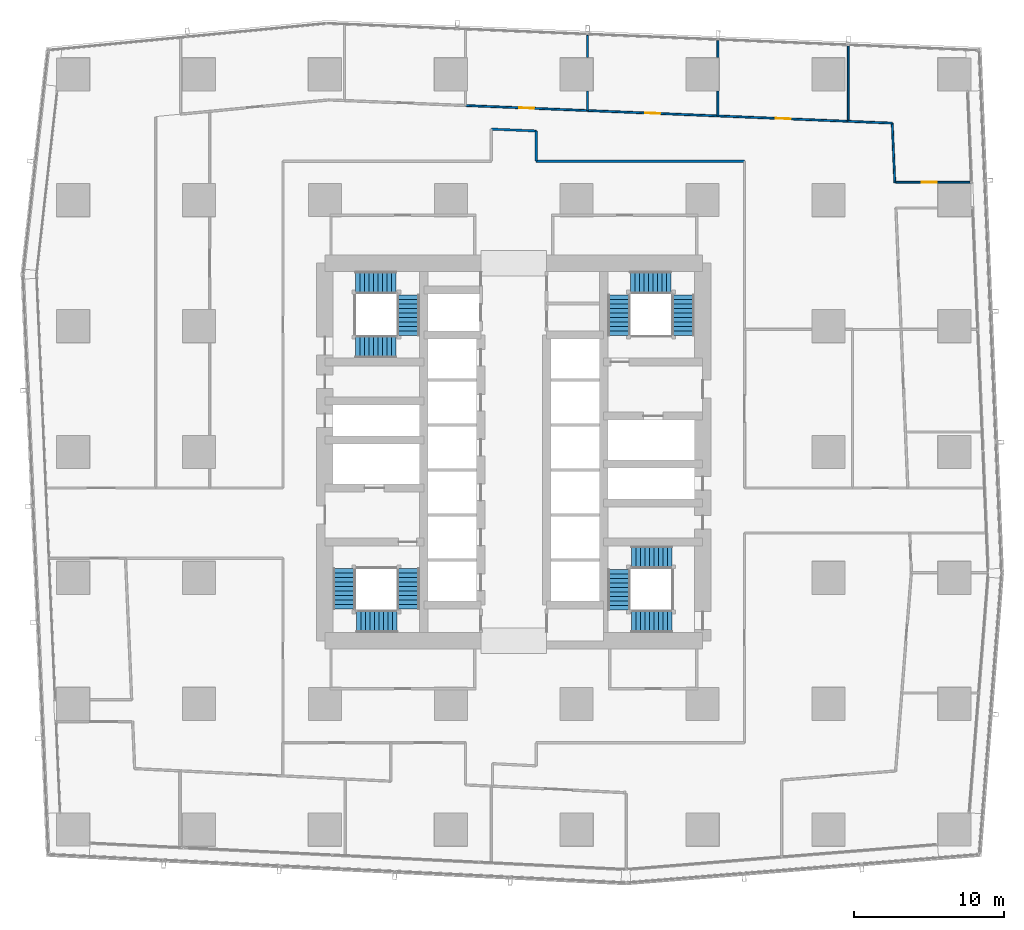
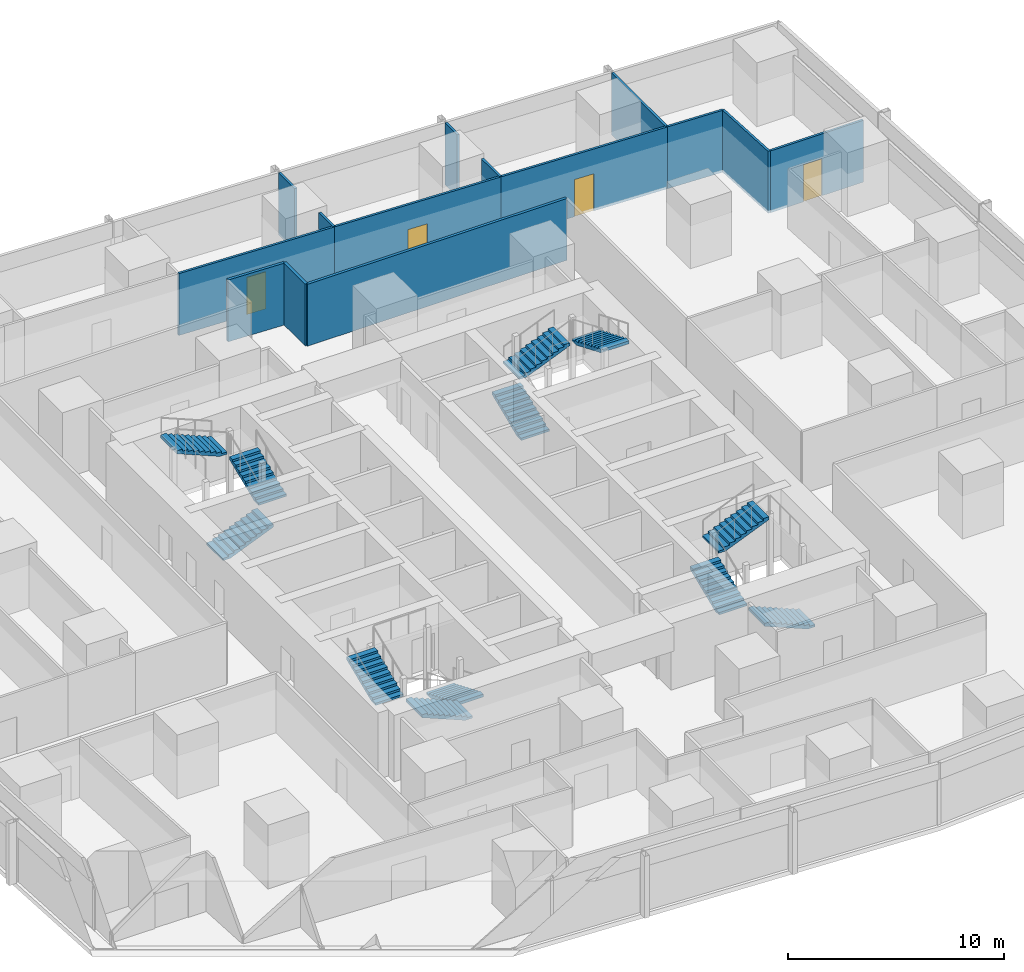
# One storey, part 35 of 44: 14 walls, 12 stair flights, 4 doors, 4 openings, 4 elements without a shape of their own.
"""IFC4 building model written with IfcOpenShell, lengths in metres."""

import ifcopenshell
import ifcopenshell.guid

model = None  # the IFC model being written
_history = None  # IfcOwnerHistory: only IFC2X3 demands one
_inside = {}  # id of a spatial element -> (the spatial element, [elements in it])
_under = {}  # id of a project, library or spatial element -> (it, [spatial elements below it])
_declared = {}  # id of a project -> (the project, [libraries it declares])
_typed = {}  # id of a type object -> (the type object, [elements of that type])
_made_of = {}  # id of a material, layer set ... -> (it, [elements and type objects made of it])


def new_model(schema):
    """Start an empty IFC model of exactly this schema.

    Asked for "IFC4X3", IfcOpenShell would pick the latest addendum, in which some entities
    have other attributes; the version numbers below select the first issue.
    IFC2X3 requires an IfcOwnerHistory on every rooted entity: one is made here for all.
    """
    global model, _history
    if schema == "IFC4X3":
        model = ifcopenshell.file(schema_version=(4, 3, 0, 0))
    else:
        model = ifcopenshell.file(schema=schema)
    _inside.clear()
    _under.clear()
    _declared.clear()
    _typed.clear()
    _made_of.clear()
    _history = None
    if model.schema == "IFC2X3":
        org = make("IfcOrganization", Name="unknown")
        user = make(
            "IfcPersonAndOrganization",
            ThePerson=make("IfcPerson", FamilyName="unknown"),
            TheOrganization=org,
        )
        app = make(
            "IfcApplication",
            ApplicationDeveloper=org,
            Version="unknown",
            ApplicationFullName="unknown",
            ApplicationIdentifier="unknown",
        )
        _history = make(
            "IfcOwnerHistory",
            OwningUser=user,
            OwningApplication=app,
            ChangeAction="ADDED",
            CreationDate=0,
        )
    return model


def make(cls, **values):
    """One entity of the class cls with the attributes given. An attribute that is None is left unset."""
    return model.create_entity(
        cls, **{name: value for name, value in values.items() if value is not None}
    )


def rooted(cls, **values):
    """An entity with a GlobalId (a new one), such as an element, a storey or a relation."""
    return make(cls, GlobalId=ifcopenshell.guid.new(), OwnerHistory=_history, **values)


def si_unit(unit_type, name, prefix=None):
    """IfcSIUnit, for example si_unit("LENGTHUNIT", "METRE", prefix="MILLI")."""
    return make("IfcSIUnit", UnitType=unit_type, Prefix=prefix, Name=name)


def assignment(units):
    """IfcUnitAssignment: the units of a project."""
    return None if units is None else make("IfcUnitAssignment", Units=units)


def point(xyz):
    """IfcCartesianPoint."""
    return None if xyz is None else make("IfcCartesianPoint", Coordinates=xyz)


def direction(xyz):
    """IfcDirection."""
    return None if xyz is None else make("IfcDirection", DirectionRatios=xyz)


def frame(location, z_axis=None, x_axis=None):
    """IfcAxis2Placement3D, a coordinate frame: its origin and axes. An axis left out is left unset."""
    return make(
        "IfcAxis2Placement3D",
        Location=point(location),
        Axis=direction(z_axis),
        RefDirection=direction(x_axis),
    )


def frame_2d(location, x_axis=None):
    """IfcAxis2Placement2D, a coordinate frame in the plane: its origin and x axis."""
    return make(
        "IfcAxis2Placement2D", Location=point(location), RefDirection=direction(x_axis)
    )


def origin():
    """The frame at (0, 0, 0) with its axes left unset."""
    return frame((0.0, 0.0, 0.0))


def place(relative_to, where):
    """IfcLocalPlacement: puts the frame where relative to a parent placement (None: the world)."""
    return make(
        "IfcLocalPlacement", PlacementRelTo=relative_to, RelativePlacement=where
    )


def context(
    kind, dimensions, precision=None, world=None, true_north=None, identifier=None
):
    """IfcGeometricRepresentationContext, for example the 3D "Model" context."""
    return make(
        "IfcGeometricRepresentationContext",
        ContextIdentifier=identifier,
        ContextType=kind,
        CoordinateSpaceDimension=dimensions,
        Precision=precision,
        WorldCoordinateSystem=world,
        TrueNorth=true_north,
    )


def subcontext(parent, identifier, kind, view, scale=None):
    """IfcGeometricRepresentationSubContext, for example "Body" below "Model"."""
    return make(
        "IfcGeometricRepresentationSubContext",
        ContextIdentifier=identifier,
        ContextType=kind,
        ParentContext=parent,
        TargetScale=scale,
        TargetView=view,
    )


def project(units=None, contexts=None):
    """IfcProject with its units and contexts."""
    return rooted(
        "IfcProject",
        Name="project",
        RepresentationContexts=contexts,
        UnitsInContext=assignment(units),
    )


def spatial(cls, under=None, at=None, **own):
    """A site, building, storey or space (cls), placed at a placement, below another one or the project."""
    s = rooted(cls, ObjectPlacement=at, **own)
    if under is not None:
        _under.setdefault(under.id(), (under, []))[1].append(s)
    return s


def polyline(points):
    """IfcPolyline through the points."""
    return make("IfcPolyline", Points=[point(p) for p in points])


def profile(cls, at=None, kind="AREA", **sizes):
    """A parametric profile (cls). Its sizes go by their IFC names, for example OverallWidth=200.0."""
    return make(cls, ProfileType=kind, Position=at, **sizes)


def rectangle(**sizes):
    """IfcRectangleProfileDef."""
    return profile("IfcRectangleProfileDef", **sizes)


def outline(outer, holes=None, kind="AREA"):
    """IfcArbitraryClosedProfileDef: a profile drawn as a closed curve; with holes, ...WithVoids."""
    if holes is None:
        return make("IfcArbitraryClosedProfileDef", ProfileType=kind, OuterCurve=outer)
    return make(
        "IfcArbitraryProfileDefWithVoids",
        ProfileType=kind,
        OuterCurve=outer,
        InnerCurves=holes,
    )


def extrude(swept, where, along, depth):
    """IfcExtrudedAreaSolid: the profile swept, set in the frame where, extruded along a direction by depth."""
    return make(
        "IfcExtrudedAreaSolid",
        SweptArea=swept,
        Position=where,
        ExtrudedDirection=direction(along),
        Depth=depth,
    )


def shape(context_of_items, identifier, shape_type, items):
    """IfcShapeRepresentation: the items that make up one representation, for example the "Body"."""
    return make(
        "IfcShapeRepresentation",
        ContextOfItems=context_of_items,
        RepresentationIdentifier=identifier,
        RepresentationType=shape_type,
        Items=items,
    )


def material(Name=None, Category=None):
    """IfcMaterial."""
    return make("IfcMaterial", Name=Name, Category=Category)


def layer(
    of_material, thickness, ventilated=None, Name=None, Category=None, Priority=None
):
    """IfcMaterialLayer: one layer of a wall or slab, of a material (None: an air gap)."""
    return make(
        "IfcMaterialLayer",
        Material=of_material,
        LayerThickness=thickness,
        IsVentilated=ventilated,
        Name=Name,
        Category=Category,
        Priority=Priority,
    )


def layer_set(layers, Name=None):
    """IfcMaterialLayerSet."""
    return make("IfcMaterialLayerSet", MaterialLayers=layers, LayerSetName=Name)


def made_of(thing, what):
    """Note that an element or type object is made of a material, layer set ...; save() writes the relation."""
    if what is not None:
        _made_of.setdefault(what.id(), (what, []))[1].append(thing)
    return thing


def type_object(cls, material=None, **own):
    """A type object (cls), such as IfcWallType, which elements share."""
    return made_of(rooted(cls, **own), material)


def element(
    cls,
    number,
    at=None,
    inside=None,
    cuts=None,
    type_object=None,
    material=None,
    context=None,
    identifier="Body",
    shape_type=None,
    held_by="IfcProductDefinitionShape",
    body=None,
    shapes=None,
    **own,
):
    """One element of the class cls, such as IfcWall. Its Tag is "e" and its number.

    at: its placement. inside: the storey or other place that contains it. cuts: it is an
    opening in that element (IfcRelVoidsElement). A single representation is given by context,
    identifier, shape_type and body (its items); several are given by shapes. held_by: the class
    of the entity that holds the representations. save() writes the other relations.
    """
    e = rooted(cls, Tag="e%d" % number, ObjectPlacement=at, **own)
    if body is not None:
        shapes = [shape(context, identifier, shape_type, body)]
    if shapes is not None:
        e.Representation = make(held_by, Representations=shapes)
    if inside is not None:
        _inside.setdefault(inside.id(), (inside, []))[1].append(e)
    if cuts is not None:
        rooted(
            "IfcRelVoidsElement", RelatingBuildingElement=cuts, RelatedOpeningElement=e
        )
    if type_object is not None:
        _typed.setdefault(type_object.id(), (type_object, []))[1].append(e)
    return made_of(e, material)


def fill(opening, filler):
    """IfcRelFillsElement: the door or window that sits in an opening."""
    return rooted(
        "IfcRelFillsElement",
        RelatingOpeningElement=opening,
        RelatedBuildingElement=filler,
    )


def aggregate(whole, parts):
    """IfcRelAggregates: a whole, such as a stair, and the parts it consists of."""
    return rooted("IfcRelAggregates", RelatingObject=whole, RelatedObjects=parts)


def save(model, path):
    """Write the relations noted so far, then the file.

    IfcRelAggregates (storeys below a building ...), IfcRelContainedInSpatialStructure (elements
    in a storey), IfcRelDefinesByType, IfcRelAssociatesMaterial and IfcRelDeclares: one each for
    every whole, place, type object, material and project.
    """
    for whole, parts in _under.values():
        aggregate(whole, parts)
    for where, things in _inside.values():
        rooted(
            "IfcRelContainedInSpatialStructure",
            RelatedElements=things,
            RelatingStructure=where,
        )
    for kind, things in _typed.values():
        rooted("IfcRelDefinesByType", RelatedObjects=things, RelatingType=kind)
    for what, things in _made_of.values():
        rooted("IfcRelAssociatesMaterial", RelatedObjects=things, RelatingMaterial=what)
    for by, libraries in _declared.values():
        rooted("IfcRelDeclares", RelatingContext=by, RelatedDefinitions=libraries)
    model.write(path)


model = new_model("IFC4")

# Units and contexts
model_context = context("Model", 3, precision=1e-05, world=origin(), true_north=direction((0.0, 1.0)))
body_context = subcontext(model_context, "Body", "Model", "MODEL_VIEW")
ifc_project = project(units=[si_unit("LENGTHUNIT", "METRE"), si_unit("AREAUNIT", "SQUARE_METRE"), si_unit("VOLUMEUNIT", "CUBIC_METRE"), si_unit("PLANEANGLEUNIT", "RADIAN"), si_unit("MASSUNIT", "GRAM", prefix="KILO")], contexts=[model_context])

# Site, building, storey
site_placement = place(None, origin())
site = spatial("IfcSite", under=ifc_project, at=site_placement, CompositionType="ELEMENT")
building_placement = place(site_placement, origin())
building = spatial("IfcBuilding", under=site, at=building_placement, Name="Rekha Terrace Tower", CompositionType="ELEMENT")
storey_placement = place(building_placement, frame((0.0, 0.0, 59.14990234375)))
storey = spatial("IfcBuildingStorey", under=building, at=storey_placement, Name="L14", CompositionType="ELEMENT", Elevation=59.14990234375)

# Walls
ifc_material_1 = material(Name="Concrete block masonry, 1 hour", Category="masonry")
ifc_layer_1 = layer(ifc_material_1, 0.14990234375)
ifc_layer_set_1 = layer_set([ifc_layer_1], Name="Concrete block masonry, 1 hour")
wall_type_1 = type_object("IfcWallType", Name="WP2 150 tenancy partition", PredefinedType="PARTITIONING", material=ifc_layer_set_1)
wall_1_placement = place(storey_placement, frame((53.199951171875, 53.0, 0.0), z_axis=(0.0, 0.0, 1.0), x_axis=(-1.0, 0.0, 0.0)))
element("IfcWall", 1, at=wall_1_placement, inside=storey, type_object=wall_type_1, Name="Partition L14-O3", PredefinedType="PARTITIONING", context=body_context, shape_type="SweptSolid", body=[
    extrude(rectangle(XDim=13.89990234375, YDim=0.14990234375, at=frame_2d((6.949951171875, 0.0))), origin(), (0.0, 0.0, 1.0), 3.5),
])
wall_2_placement = place(storey_placement, frame((39.300048828125, 53.0, 0.0), z_axis=(0.0, 0.0, 1.0), x_axis=(0.0, 1.0, 0.0)))
element("IfcWall", 2, at=wall_2_placement, inside=storey, type_object=wall_type_1, Name="Partition L14-O3", PredefinedType="PARTITIONING", context=body_context, shape_type="SweptSolid", body=[
    extrude(rectangle(XDim=2.01806640625, YDim=0.14990234375, at=frame_2d((1.009033203125, 0.0))), origin(), (0.0, 0.0, 1.0), 3.5),
])
wall_3_placement = place(storey_placement, frame((39.300048828125, 55.01806640625, 0.0), z_axis=(0.0, 0.0, 1.0), x_axis=(-0.999146548644, 0.041305863176, 0.0)))
element("IfcWall", 3, at=wall_3_placement, inside=storey, type_object=wall_type_1, Name="Partition L14-O3", PredefinedType="PARTITIONING", context=body_context, shape_type="SweptSolid", body=[
    extrude(rectangle(XDim=3.00244140625, YDim=0.14990234375, at=frame_2d((1.501220703125, 0.0))), origin(), (0.0, 0.0, 1.0), 3.5),
])
ifc_material_2 = material(Name="Two layers of fire-rated gypsum board each side on steel studs, acoustic quilt, 1 hour", Category="steel")
ifc_layer_2 = layer(ifc_material_2, 0.125)
ifc_layer_set_2 = layer_set([ifc_layer_2], Name="Two layers of fire-rated gypsum board each side on steel studs, acoustic quilt, 1 hour")
wall_type_2 = type_object("IfcWallType", Name="WP3 125 office partition", PredefinedType="PARTITIONING", material=ifc_layer_set_2)
wall_4_placement = place(storey_placement, frame((60.112060546875, 55.662109375, 0.0), z_axis=(0.0, 0.0, 1.0), x_axis=(0.0, 1.0, 0.0)))
element("IfcWall", 4, at=wall_4_placement, inside=storey, type_object=wall_type_2, Name="Partition L14-14", PredefinedType="PARTITIONING", context=body_context, shape_type="SweptSolid", body=[
    extrude(rectangle(XDim=5.02392578125, YDim=0.125, at=frame_2d((2.511962890625, 0.0))), origin(), (0.0, 0.0, 1.0), 3.5),
])

# Wall, opening, door
wall_5_placement = place(storey_placement, frame((68.243896484375, 51.593017578125, 0.0), z_axis=(0.0, 0.0, 1.0), x_axis=(-1.0, 0.0, 0.0)))
wall_5 = element("IfcWall", 5, at=wall_5_placement, inside=storey, type_object=wall_type_2, Name="Partition L14-14", PredefinedType="PARTITIONING", context=body_context, shape_type="SweptSolid", body=[
    extrude(rectangle(XDim=4.9619140625, YDim=0.125, at=frame_2d((2.48095703125, 0.0))), origin(), (0.0, 0.0, 1.0), 3.5),
])
opening_1_placement = place(wall_5_placement, frame((2.2109375, 0.0, 0.0)))
opening_1 = element("IfcOpeningElement", 6, at=opening_1_placement, cuts=wall_5, Name="Opening D9", PredefinedType="OPENING", context=body_context, shape_type="SweptSolid", body=[
    extrude(rectangle(XDim=1.0, YDim=2.10009765625, at=frame_2d((0.5, 1.050048828125))), frame((0.0, 0.072509765625, 0.0), z_axis=(0.0, -1.0, 0.0), x_axis=(1.0, 0.0, 0.0)), (0.0, 0.0, 1.0), 0.14501953125),
])
ifc_material_3 = material(Name="Timber fire door", Category="wood")
door_type = type_object("IfcDoorType", Name="D9 1000x2100 office door", OperationType="SINGLE_SWING_LEFT", PredefinedType="DOOR", material=ifc_material_3)
door_1_placement = place(opening_1_placement, origin())
door_1 = element("IfcDoor", 7, at=door_1_placement, inside=storey, type_object=door_type, Name="Door director's office L14", OperationType="SINGLE_SWING_LEFT", OverallHeight=2.10009765625, OverallWidth=1.0, PredefinedType="DOOR", context=body_context, shape_type="SweptSolid", body=[
    extrude(rectangle(XDim=1.0, YDim=2.10009765625, at=frame_2d((0.5, 1.050048828125))), frame((0.0, 0.02490234375, 0.0), z_axis=(0.0, -1.0, 0.0), x_axis=(1.0, 0.0, 0.0)), (0.0, 0.0, 1.0), 0.050048828125),
])
fill(opening_1, door_1)

# Walls
wall_6_placement = place(storey_placement, frame((63.220947265625, 51.556884765625, 0.0), z_axis=(0.0, 0.0, 1.0), x_axis=(-0.042621363321, 0.999091296824, 0.0)))
element("IfcWall", 8, at=wall_6_placement, inside=storey, type_object=wall_type_2, Name="Partition L14-14", PredefinedType="PARTITIONING", context=body_context, shape_type="SweptSolid", body=[
    extrude(rectangle(XDim=3.98681640625, YDim=0.125, at=frame_2d((1.993408203125, 0.0))), origin(), (0.0, 0.0, 1.0), 3.5),
])
wall_7_placement = place(storey_placement, frame((63.051025390625, 55.5400390625, 0.0), z_axis=(0.0, 0.0, 1.0), x_axis=(-0.9991385306, 0.041499357476, 0.0)))
element("IfcWall", 9, at=wall_7_placement, inside=storey, type_object=wall_type_2, Name="Partition L14-14", PredefinedType="PARTITIONING", context=body_context, shape_type="SweptSolid", body=[
    extrude(rectangle(XDim=2.94140625, YDim=0.125, at=frame_2d((1.470703125, 0.0))), origin(), (0.0, 0.0, 1.0), 3.5),
])

# Wall, opening, door
wall_8_placement = place(storey_placement, frame((60.111083984375, 55.662109375, 0.0), z_axis=(0.0, 0.0, 1.0), x_axis=(-0.999153902149, 0.041127604115, 0.0)))
wall_8 = element("IfcWall", 10, at=wall_8_placement, inside=storey, type_object=wall_type_2, Name="Partition L14-15", PredefinedType="PARTITIONING", context=body_context, shape_type="SweptSolid", body=[
    extrude(rectangle(XDim=8.702392578125, YDim=0.125, at=frame_2d((4.35107421875, 0.0))), origin(), (0.0, 0.0, 1.0), 3.5),
])
opening_2_placement = place(wall_8_placement, frame((3.85107421875, 0.0, 0.0)))
opening_2 = element("IfcOpeningElement", 11, at=opening_2_placement, cuts=wall_8, Name="Opening D9", PredefinedType="OPENING", context=body_context, shape_type="SweptSolid", body=[
    extrude(rectangle(XDim=1.0, YDim=2.10009765625, at=frame_2d((0.5, 1.050048828125))), frame((0.0, 0.072509765625, 0.0), z_axis=(0.0, -1.0, 0.0), x_axis=(1.0, 0.0, 0.0)), (0.0, 0.0, 1.0), 0.14501953125),
])
door_2_placement = place(opening_2_placement, origin())
door_2 = element("IfcDoor", 12, at=door_2_placement, inside=storey, type_object=door_type, Name="Door office L14", OperationType="SINGLE_SWING_LEFT", OverallHeight=2.10009765625, OverallWidth=1.0, PredefinedType="DOOR", context=body_context, shape_type="SweptSolid", body=[
    extrude(rectangle(XDim=1.0, YDim=2.10009765625, at=frame_2d((0.5, 1.050048828125))), frame((0.0, 0.02490234375, 0.0), z_axis=(0.0, -1.0, 0.0), x_axis=(1.0, 0.0, 0.0)), (0.0, 0.0, 1.0), 0.050048828125),
])
fill(opening_2, door_2)

# Walls
wall_9_placement = place(storey_placement, frame((51.416015625, 56.02001953125, 0.0), z_axis=(0.0, 0.0, 1.0), x_axis=(0.0, 1.0, 0.0)))
element("IfcWall", 13, at=wall_9_placement, inside=storey, type_object=wall_type_2, Name="Partition L14-15", PredefinedType="PARTITIONING", context=body_context, shape_type="SweptSolid", body=[
    extrude(rectangle(XDim=1.659912109375, YDim=0.125, at=frame_2d((0.830078125, 0.0))), origin(), (0.0, 0.0, 1.0), 3.5),
])
wall_10_placement = place(storey_placement, frame((51.416015625, 59.919921875, 0.0), z_axis=(0.0, 0.0, 1.0), x_axis=(0.0, 1.0, 0.0)))
element("IfcWall", 14, at=wall_10_placement, inside=storey, type_object=wall_type_2, Name="Partition L14-15", PredefinedType="PARTITIONING", context=body_context, shape_type="SweptSolid", body=[
    extrude(rectangle(XDim=1.1240234375, YDim=0.125, at=frame_2d((0.56201171875, 0.0))), origin(), (0.0, 0.0, 1.0), 3.5),
])

# Wall, opening, door
wall_11_placement = place(storey_placement, frame((51.4150390625, 56.02001953125, 0.0), z_axis=(0.0, 0.0, 1.0), x_axis=(-0.999149475386, 0.041235007407, 0.0)))
wall_11 = element("IfcWall", 15, at=wall_11_placement, inside=storey, type_object=wall_type_2, Name="Partition L14-16", PredefinedType="PARTITIONING", context=body_context, shape_type="SweptSolid", body=[
    extrude(rectangle(XDim=8.703369140625, YDim=0.125, at=frame_2d((4.3515625, 0.0))), origin(), (0.0, 0.0, 1.0), 3.5),
])
opening_3_placement = place(wall_11_placement, frame((3.85205078125, 0.0, 0.0)))
opening_3 = element("IfcOpeningElement", 16, at=opening_3_placement, cuts=wall_11, Name="Opening D9", PredefinedType="OPENING", context=body_context, shape_type="SweptSolid", body=[
    extrude(rectangle(XDim=1.0, YDim=2.10009765625, at=frame_2d((0.5, 1.050048828125))), frame((0.0, 0.072509765625, 0.0), z_axis=(0.0, -1.0, 0.0), x_axis=(1.0, 0.0, 0.0)), (0.0, 0.0, 1.0), 0.14501953125),
])
door_3_placement = place(opening_3_placement, origin())
door_3 = element("IfcDoor", 17, at=door_3_placement, inside=storey, type_object=door_type, Name="Door office L14", OperationType="SINGLE_SWING_LEFT", OverallHeight=2.10009765625, OverallWidth=1.0, PredefinedType="DOOR", context=body_context, shape_type="SweptSolid", body=[
    extrude(rectangle(XDim=1.0, YDim=2.10009765625, at=frame_2d((0.5, 1.050048828125))), frame((0.0, 0.02490234375, 0.0), z_axis=(0.0, -1.0, 0.0), x_axis=(1.0, 0.0, 0.0)), (0.0, 0.0, 1.0), 0.050048828125),
])
fill(opening_3, door_3)

# Walls
wall_12_placement = place(storey_placement, frame((42.718994140625, 56.37890625, 0.0), z_axis=(0.0, 0.0, 1.0), x_axis=(0.0, 1.0, 0.0)))
element("IfcWall", 18, at=wall_12_placement, inside=storey, type_object=wall_type_2, Name="Partition L14-16", PredefinedType="PARTITIONING", context=body_context, shape_type="SweptSolid", body=[
    extrude(rectangle(XDim=1.301025390625, YDim=0.125, at=frame_2d((0.650390625, 0.0))), origin(), (0.0, 0.0, 1.0), 3.5),
])
wall_13_placement = place(storey_placement, frame((42.718994140625, 59.919921875, 0.0), z_axis=(0.0, 0.0, 1.0), x_axis=(0.0, 1.0, 0.0)))
element("IfcWall", 19, at=wall_13_placement, inside=storey, type_object=wall_type_2, Name="Partition L14-16", PredefinedType="PARTITIONING", context=body_context, shape_type="SweptSolid", body=[
    extrude(rectangle(XDim=1.483154296875, YDim=0.125, at=frame_2d((0.74169921875, 0.0))), origin(), (0.0, 0.0, 1.0), 3.5),
])

# Wall, opening, door
wall_14_placement = place(storey_placement, frame((42.718017578125, 56.37890625, 0.0), z_axis=(0.0, 0.0, 1.0), x_axis=(-0.999151940026, 0.041175244279, 0.0)))
wall_14 = element("IfcWall", 20, at=wall_14_placement, inside=storey, type_object=wall_type_2, Name="Partition L14-17", PredefinedType="PARTITIONING", context=body_context, shape_type="SweptSolid", body=[
    extrude(rectangle(XDim=8.140869140625, YDim=0.125, at=frame_2d((4.0703125, 0.0))), origin(), (0.0, 0.0, 1.0), 3.5),
])
opening_4_placement = place(wall_14_placement, frame((3.570068359375, 0.0, 0.0)))
opening_4 = element("IfcOpeningElement", 21, at=opening_4_placement, cuts=wall_14, Name="Opening D9", PredefinedType="OPENING", context=body_context, shape_type="SweptSolid", body=[
    extrude(rectangle(XDim=1.0, YDim=2.10009765625, at=frame_2d((0.5, 1.050048828125))), frame((0.0, 0.072509765625, 0.0), z_axis=(0.0, -1.0, 0.0), x_axis=(1.0, 0.0, 0.0)), (0.0, 0.0, 1.0), 0.14501953125),
])
door_4_placement = place(opening_4_placement, origin())
door_4 = element("IfcDoor", 22, at=door_4_placement, inside=storey, type_object=door_type, Name="Door office L14", OperationType="SINGLE_SWING_LEFT", OverallHeight=2.10009765625, OverallWidth=1.0, PredefinedType="DOOR", context=body_context, shape_type="SweptSolid", body=[
    extrude(rectangle(XDim=1.0, YDim=2.10009765625, at=frame_2d((0.5, 1.050048828125))), frame((0.0, 0.02490234375, 0.0), z_axis=(0.0, -1.0, 0.0), x_axis=(1.0, 0.0, 0.0)), (0.0, 0.0, 1.0), 0.050048828125),
])
fill(opening_4, door_4)

# Stair, stair flights
ifc_material_4 = material(Name="Concrete M40", Category="concrete")
stair_type = type_object("IfcStairType", Name="ST30 stair, 30 risers of 125, going 300, 1500 wide flights, 3 flights", PredefinedType="HALF_TURN_STAIR", material=ifc_material_4)
stair_1_placement = place(storey_placement, origin())
stair_1 = element("IfcStair", 23, at=stair_1_placement, inside=storey, type_object=stair_type, Name="Stair ST1 L14 to L15", PredefinedType="HALF_TURN_STAIR")
stair_flight_type = type_object("IfcStairFlightType", Name="SF10 stair flight, 10 risers of 125, going 300, 1500 wide", PredefinedType="STRAIGHT", material=ifc_material_4)
stair_flight_1_placement = place(storey_placement, frame((30.77490234375, 25.824951171875, 0.0), z_axis=(0.0, 0.0, 1.0), x_axis=(0.0, -1.0, 0.0)))
stair_flight_1 = element("IfcStairFlight", 24, at=stair_flight_1_placement, type_object=stair_flight_type, Name="ST1 flight 1", NumberOfRisers=10, NumberOfTreads=9, PredefinedType="STRAIGHT", RiserHeight=0.125, TreadLength=0.3, context=body_context, shape_type="SweptSolid", body=[
    extrude(outline(polyline([(0.0, 0.0), (0.0, 0.125), (0.300048828125, 0.125), (0.300048828125, 0.25), (0.60009765625, 0.25), (0.60009765625, 0.375), (0.89990234375, 0.375), (0.89990234375, 0.5), (1.199951171875, 0.5), (1.199951171875, 0.625), (1.5, 0.625), (1.5, 0.75), (1.800048828125, 0.75), (1.800048828125, 0.875), (2.10009765625, 0.875), (2.10009765625, 1.0), (2.39990234375, 1.0), (2.39990234375, 1.125), (2.699951171875, 1.125), (2.699951171875, 1.25), (2.699951171875, 0.962646484375), (0.3896484375, 0.0), (0.0, 0.0)])), frame((0.0, 0.75, 0.0), z_axis=(0.0, -1.0, 0.0), x_axis=(1.0, 0.0, 0.0)), (0.0, 0.0, 1.0), 1.5),
])
stair_flight_2_placement = place(storey_placement, frame((30.02490234375, 22.300048828125, 1.25), z_axis=(0.0, 0.0, 1.0), x_axis=(-1.0, 0.0, 0.0)))
stair_flight_2 = element("IfcStairFlight", 25, at=stair_flight_2_placement, type_object=stair_flight_type, Name="ST1 flight 2", NumberOfRisers=10, NumberOfTreads=9, PredefinedType="STRAIGHT", RiserHeight=0.125, TreadLength=0.3, context=body_context, shape_type="SweptSolid", body=[
    extrude(outline(polyline([(0.0, 0.0), (0.0, 0.125), (0.300048828125, 0.125), (0.300048828125, 0.25), (0.60009765625, 0.25), (0.60009765625, 0.375), (0.89990234375, 0.375), (0.89990234375, 0.5), (1.199951171875, 0.5), (1.199951171875, 0.625), (1.5, 0.625), (1.5, 0.75), (1.800048828125, 0.75), (1.800048828125, 0.875), (2.10009765625, 0.875), (2.10009765625, 1.0), (2.39990234375, 1.0), (2.39990234375, 1.125), (2.699951171875, 1.125), (2.699951171875, 1.25), (2.699951171875, 0.962646484375), (0.3896484375, 0.0), (0.0, 0.0)])), frame((0.0, 0.75, 0.0), z_axis=(0.0, -1.0, 0.0), x_axis=(1.0, 0.0, 0.0)), (0.0, 0.0, 1.0), 1.5),
])
stair_flight_3_placement = place(storey_placement, frame((26.5, 23.125, 2.5), z_axis=(0.0, 0.0, 1.0), x_axis=(0.0, 1.0, 0.0)))
stair_flight_3 = element("IfcStairFlight", 26, at=stair_flight_3_placement, type_object=stair_flight_type, Name="ST1 flight 3", NumberOfRisers=10, NumberOfTreads=9, PredefinedType="STRAIGHT", RiserHeight=0.125, TreadLength=0.3, context=body_context, shape_type="SweptSolid", body=[
    extrude(outline(polyline([(0.0, 0.0), (0.0, 0.125), (0.300048828125, 0.125), (0.300048828125, 0.25), (0.60009765625, 0.25), (0.60009765625, 0.375), (0.89990234375, 0.375), (0.89990234375, 0.5), (1.199951171875, 0.5), (1.199951171875, 0.625), (1.5, 0.625), (1.5, 0.75), (1.800048828125, 0.75), (1.800048828125, 0.875), (2.10009765625, 0.875), (2.10009765625, 1.0), (2.39990234375, 1.0), (2.39990234375, 1.125), (2.699951171875, 1.125), (2.699951171875, 1.25), (2.699951171875, 0.962646484375), (0.3896484375, 0.0), (0.0, 0.0)])), frame((0.0, 0.75, 0.0), z_axis=(0.0, -1.0, 0.0), x_axis=(1.0, 0.0, 0.0)), (0.0, 0.0, 1.0), 1.5),
])
aggregate(stair_1, [stair_flight_1, stair_flight_2, stair_flight_3])

stair_2_placement = place(storey_placement, origin())
stair_2 = element("IfcStair", 27, at=stair_2_placement, inside=storey, type_object=stair_type, Name="Stair ST2 L14 to L15", PredefinedType="HALF_TURN_STAIR")
stair_flight_4_placement = place(storey_placement, frame((44.824951171875, 41.375, 0.0), z_axis=(0.0, 0.0, 1.0), x_axis=(0.0, 1.0, 0.0)))
stair_flight_4 = element("IfcStairFlight", 28, at=stair_flight_4_placement, type_object=stair_flight_type, Name="ST2 flight 1", NumberOfRisers=10, NumberOfTreads=9, PredefinedType="STRAIGHT", RiserHeight=0.125, TreadLength=0.3, context=body_context, shape_type="SweptSolid", body=[
    extrude(outline(polyline([(0.0, 0.0), (0.0, 0.125), (0.300048828125, 0.125), (0.300048828125, 0.25), (0.60009765625, 0.25), (0.60009765625, 0.375), (0.89990234375, 0.375), (0.89990234375, 0.5), (1.199951171875, 0.5), (1.199951171875, 0.625), (1.5, 0.625), (1.5, 0.75), (1.800048828125, 0.75), (1.800048828125, 0.875), (2.10009765625, 0.875), (2.10009765625, 1.0), (2.39990234375, 1.0), (2.39990234375, 1.125), (2.699951171875, 1.125), (2.699951171875, 1.25), (2.699951171875, 0.962646484375), (0.3896484375, 0.0), (0.0, 0.0)])), frame((0.0, 0.75, 0.0), z_axis=(0.0, -1.0, 0.0), x_axis=(1.0, 0.0, 0.0)), (0.0, 0.0, 1.0), 1.5),
])
stair_flight_5_placement = place(storey_placement, frame((45.574951171875, 44.89990234375, 1.25), z_axis=(0.0, 0.0, 1.0), x_axis=(1.0, 0.0, 0.0)))
stair_flight_5 = element("IfcStairFlight", 29, at=stair_flight_5_placement, type_object=stair_flight_type, Name="ST2 flight 2", NumberOfRisers=10, NumberOfTreads=9, PredefinedType="STRAIGHT", RiserHeight=0.125, TreadLength=0.3, context=body_context, shape_type="SweptSolid", body=[
    extrude(outline(polyline([(0.0, 0.0), (0.0, 0.125), (0.300048828125, 0.125), (0.300048828125, 0.25), (0.60009765625, 0.25), (0.60009765625, 0.375), (0.89990234375, 0.375), (0.89990234375, 0.5), (1.199951171875, 0.5), (1.199951171875, 0.625), (1.5, 0.625), (1.5, 0.75), (1.800048828125, 0.75), (1.800048828125, 0.875), (2.10009765625, 0.875), (2.10009765625, 1.0), (2.39990234375, 1.0), (2.39990234375, 1.125), (2.699951171875, 1.125), (2.699951171875, 1.25), (2.699951171875, 0.962646484375), (0.3896484375, 0.0), (0.0, 0.0)])), frame((0.0, 0.75, 0.0), z_axis=(0.0, -1.0, 0.0), x_axis=(1.0, 0.0, 0.0)), (0.0, 0.0, 1.0), 1.5),
])
stair_flight_6_placement = place(storey_placement, frame((49.10009765625, 44.074951171875, 2.5), z_axis=(0.0, 0.0, 1.0), x_axis=(0.0, -1.0, 0.0)))
stair_flight_6 = element("IfcStairFlight", 30, at=stair_flight_6_placement, type_object=stair_flight_type, Name="ST2 flight 3", NumberOfRisers=10, NumberOfTreads=9, PredefinedType="STRAIGHT", RiserHeight=0.125, TreadLength=0.3, context=body_context, shape_type="SweptSolid", body=[
    extrude(outline(polyline([(0.0, 0.0), (0.0, 0.125), (0.300048828125, 0.125), (0.300048828125, 0.25), (0.60009765625, 0.25), (0.60009765625, 0.375), (0.89990234375, 0.375), (0.89990234375, 0.5), (1.199951171875, 0.5), (1.199951171875, 0.625), (1.5, 0.625), (1.5, 0.75), (1.800048828125, 0.75), (1.800048828125, 0.875), (2.10009765625, 0.875), (2.10009765625, 1.0), (2.39990234375, 1.0), (2.39990234375, 1.125), (2.699951171875, 1.125), (2.699951171875, 1.25), (2.699951171875, 0.962646484375), (0.3896484375, 0.0), (0.0, 0.0)])), frame((0.0, 0.75, 0.0), z_axis=(0.0, -1.0, 0.0), x_axis=(1.0, 0.0, 0.0)), (0.0, 0.0, 1.0), 1.5),
])
aggregate(stair_2, [stair_flight_4, stair_flight_5, stair_flight_6])

stair_3_placement = place(storey_placement, origin())
stair_3 = element("IfcStair", 31, at=stair_3_placement, inside=storey, type_object=stair_type, Name="Stair ST3 L14 to L15", PredefinedType="HALF_TURN_STAIR")
stair_flight_7_placement = place(storey_placement, frame((48.35009765625, 22.300048828125, 0.0), z_axis=(0.0, 0.0, 1.0), x_axis=(-1.0, 0.0, 0.0)))
stair_flight_7 = element("IfcStairFlight", 32, at=stair_flight_7_placement, type_object=stair_flight_type, Name="ST3 flight 1", NumberOfRisers=10, NumberOfTreads=9, PredefinedType="STRAIGHT", RiserHeight=0.125, TreadLength=0.3, context=body_context, shape_type="SweptSolid", body=[
    extrude(outline(polyline([(0.0, 0.0), (0.0, 0.125), (0.300048828125, 0.125), (0.300048828125, 0.25), (0.60009765625, 0.25), (0.60009765625, 0.375), (0.89990234375, 0.375), (0.89990234375, 0.5), (1.199951171875, 0.5), (1.199951171875, 0.625), (1.5, 0.625), (1.5, 0.75), (1.800048828125, 0.75), (1.800048828125, 0.875), (2.10009765625, 0.875), (2.10009765625, 1.0), (2.39990234375, 1.0), (2.39990234375, 1.125), (2.699951171875, 1.125), (2.699951171875, 1.25), (2.699951171875, 0.962646484375), (0.3896484375, 0.0), (0.0, 0.0)])), frame((0.0, 0.75, 0.0), z_axis=(0.0, -1.0, 0.0), x_axis=(1.0, 0.0, 0.0)), (0.0, 0.0, 1.0), 1.5),
])
stair_flight_8_placement = place(storey_placement, frame((44.824951171875, 23.050048828125, 1.25), z_axis=(0.0, 0.0, 1.0), x_axis=(0.0, 1.0, 0.0)))
stair_flight_8 = element("IfcStairFlight", 33, at=stair_flight_8_placement, type_object=stair_flight_type, Name="ST3 flight 2", NumberOfRisers=10, NumberOfTreads=9, PredefinedType="STRAIGHT", RiserHeight=0.125, TreadLength=0.3, context=body_context, shape_type="SweptSolid", body=[
    extrude(outline(polyline([(0.0, 0.0), (0.0, 0.125), (0.300048828125, 0.125), (0.300048828125, 0.25), (0.60009765625, 0.25), (0.60009765625, 0.375), (0.89990234375, 0.375), (0.89990234375, 0.5), (1.199951171875, 0.5), (1.199951171875, 0.625), (1.5, 0.625), (1.5, 0.75), (1.800048828125, 0.75), (1.800048828125, 0.875), (2.10009765625, 0.875), (2.10009765625, 1.0), (2.39990234375, 1.0), (2.39990234375, 1.125), (2.699951171875, 1.125), (2.699951171875, 1.25), (2.699951171875, 0.962646484375), (0.3896484375, 0.0), (0.0, 0.0)])), frame((0.0, 0.75, 0.0), z_axis=(0.0, -1.0, 0.0), x_axis=(1.0, 0.0, 0.0)), (0.0, 0.0, 1.0), 1.5),
])
stair_flight_9_placement = place(storey_placement, frame((45.64990234375, 26.574951171875, 2.5), z_axis=(0.0, 0.0, 1.0), x_axis=(1.0, 0.0, 0.0)))
stair_flight_9 = element("IfcStairFlight", 34, at=stair_flight_9_placement, type_object=stair_flight_type, Name="ST3 flight 3", NumberOfRisers=10, NumberOfTreads=9, PredefinedType="STRAIGHT", RiserHeight=0.125, TreadLength=0.3, context=body_context, shape_type="SweptSolid", body=[
    extrude(outline(polyline([(0.0, 0.0), (0.0, 0.125), (0.300048828125, 0.125), (0.300048828125, 0.25), (0.60009765625, 0.25), (0.60009765625, 0.375), (0.89990234375, 0.375), (0.89990234375, 0.5), (1.199951171875, 0.5), (1.199951171875, 0.625), (1.5, 0.625), (1.5, 0.75), (1.800048828125, 0.75), (1.800048828125, 0.875), (2.10009765625, 0.875), (2.10009765625, 1.0), (2.39990234375, 1.0), (2.39990234375, 1.125), (2.699951171875, 1.125), (2.699951171875, 1.25), (2.699951171875, 0.962646484375), (0.3896484375, 0.0), (0.0, 0.0)])), frame((0.0, 0.75, 0.0), z_axis=(0.0, -1.0, 0.0), x_axis=(1.0, 0.0, 0.0)), (0.0, 0.0, 1.0), 1.5),
])
aggregate(stair_3, [stair_flight_7, stair_flight_8, stair_flight_9])

stair_4_placement = place(storey_placement, origin())
stair_4 = element("IfcStair", 35, at=stair_4_placement, inside=storey, type_object=stair_type, Name="Stair ST4 L14 to L15", PredefinedType="HALF_TURN_STAIR")
stair_flight_10_placement = place(storey_placement, frame((27.25, 40.625, 0.0), z_axis=(0.0, 0.0, 1.0), x_axis=(1.0, 0.0, 0.0)))
stair_flight_10 = element("IfcStairFlight", 36, at=stair_flight_10_placement, type_object=stair_flight_type, Name="ST4 flight 1", NumberOfRisers=10, NumberOfTreads=9, PredefinedType="STRAIGHT", RiserHeight=0.125, TreadLength=0.3, context=body_context, shape_type="SweptSolid", body=[
    extrude(outline(polyline([(0.0, 0.0), (0.0, 0.125), (0.300048828125, 0.125), (0.300048828125, 0.25), (0.60009765625, 0.25), (0.60009765625, 0.375), (0.89990234375, 0.375), (0.89990234375, 0.5), (1.199951171875, 0.5), (1.199951171875, 0.625), (1.5, 0.625), (1.5, 0.75), (1.800048828125, 0.75), (1.800048828125, 0.875), (2.10009765625, 0.875), (2.10009765625, 1.0), (2.39990234375, 1.0), (2.39990234375, 1.125), (2.699951171875, 1.125), (2.699951171875, 1.25), (2.699951171875, 0.962646484375), (0.3896484375, 0.0), (0.0, 0.0)])), frame((0.0, 0.75, 0.0), z_axis=(0.0, -1.0, 0.0), x_axis=(1.0, 0.0, 0.0)), (0.0, 0.0, 1.0), 1.5),
])
stair_flight_11_placement = place(storey_placement, frame((30.77490234375, 41.375, 1.25), z_axis=(0.0, 0.0, 1.0), x_axis=(0.0, 1.0, 0.0)))
stair_flight_11 = element("IfcStairFlight", 37, at=stair_flight_11_placement, type_object=stair_flight_type, Name="ST4 flight 2", NumberOfRisers=10, NumberOfTreads=9, PredefinedType="STRAIGHT", RiserHeight=0.125, TreadLength=0.3, context=body_context, shape_type="SweptSolid", body=[
    extrude(outline(polyline([(0.0, 0.0), (0.0, 0.125), (0.300048828125, 0.125), (0.300048828125, 0.25), (0.60009765625, 0.25), (0.60009765625, 0.375), (0.89990234375, 0.375), (0.89990234375, 0.5), (1.199951171875, 0.5), (1.199951171875, 0.625), (1.5, 0.625), (1.5, 0.75), (1.800048828125, 0.75), (1.800048828125, 0.875), (2.10009765625, 0.875), (2.10009765625, 1.0), (2.39990234375, 1.0), (2.39990234375, 1.125), (2.699951171875, 1.125), (2.699951171875, 1.25), (2.699951171875, 0.962646484375), (0.3896484375, 0.0), (0.0, 0.0)])), frame((0.0, 0.75, 0.0), z_axis=(0.0, -1.0, 0.0), x_axis=(1.0, 0.0, 0.0)), (0.0, 0.0, 1.0), 1.5),
])
stair_flight_12_placement = place(storey_placement, frame((29.949951171875, 44.89990234375, 2.5), z_axis=(0.0, 0.0, 1.0), x_axis=(-1.0, 0.0, 0.0)))
stair_flight_12 = element("IfcStairFlight", 38, at=stair_flight_12_placement, type_object=stair_flight_type, Name="ST4 flight 3", NumberOfRisers=10, NumberOfTreads=9, PredefinedType="STRAIGHT", RiserHeight=0.125, TreadLength=0.3, context=body_context, shape_type="SweptSolid", body=[
    extrude(outline(polyline([(0.0, 0.0), (0.0, 0.125), (0.300048828125, 0.125), (0.300048828125, 0.25), (0.60009765625, 0.25), (0.60009765625, 0.375), (0.89990234375, 0.375), (0.89990234375, 0.5), (1.199951171875, 0.5), (1.199951171875, 0.625), (1.5, 0.625), (1.5, 0.75), (1.800048828125, 0.75), (1.800048828125, 0.875), (2.10009765625, 0.875), (2.10009765625, 1.0), (2.39990234375, 1.0), (2.39990234375, 1.125), (2.699951171875, 1.125), (2.699951171875, 1.25), (2.699951171875, 0.962646484375), (0.3896484375, 0.0), (0.0, 0.0)])), frame((0.0, 0.75, 0.0), z_axis=(0.0, -1.0, 0.0), x_axis=(1.0, 0.0, 0.0)), (0.0, 0.0, 1.0), 1.5),
])
aggregate(stair_4, [stair_flight_10, stair_flight_11, stair_flight_12])

save(model, "model.ifc")
